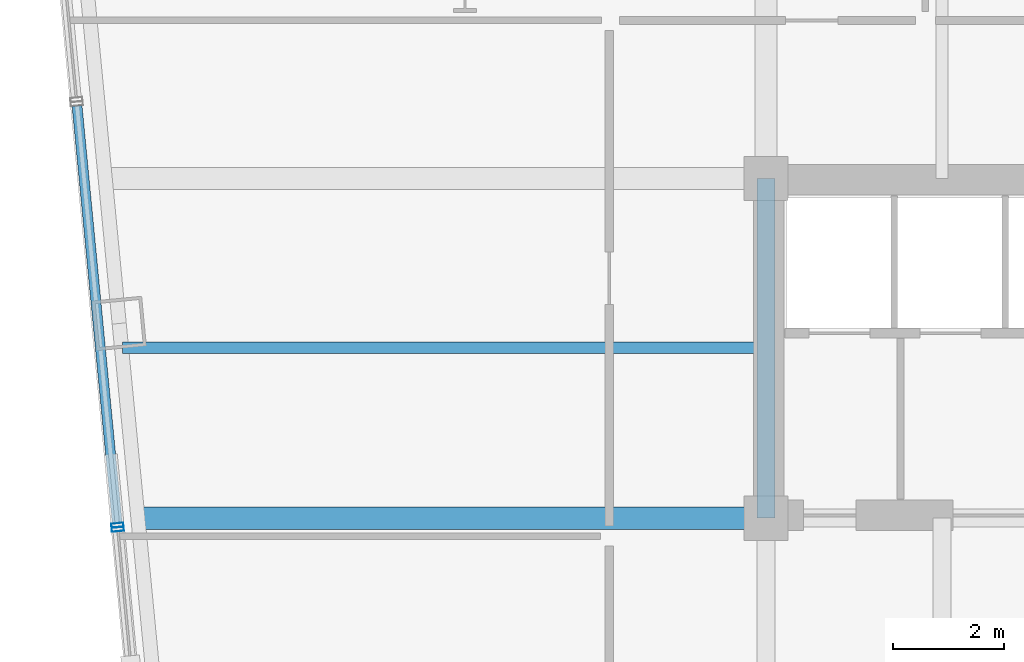
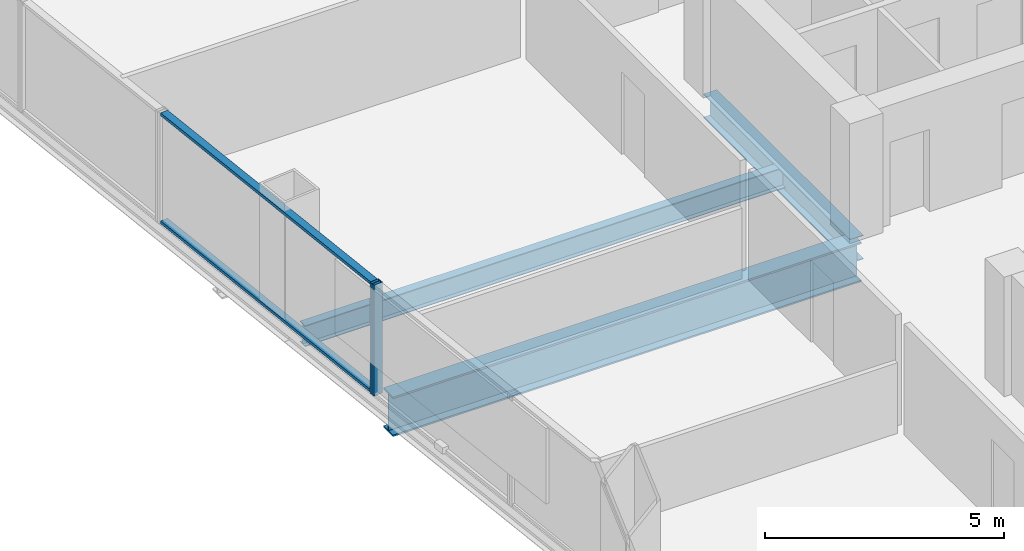
# One storey, part 9 of 32: 4 members, 3 beams, 2 elements without a shape of their own.
"""IFC4 building model written with IfcOpenShell, lengths in metres."""

import ifcopenshell
import ifcopenshell.guid

model = None  # the IFC model being written
_history = None  # IfcOwnerHistory: only IFC2X3 demands one
_inside = {}  # id of a spatial element -> (the spatial element, [elements in it])
_under = {}  # id of a project, library or spatial element -> (it, [spatial elements below it])
_declared = {}  # id of a project -> (the project, [libraries it declares])
_typed = {}  # id of a type object -> (the type object, [elements of that type])
_made_of = {}  # id of a material, layer set ... -> (it, [elements and type objects made of it])


def new_model(schema):
    """Start an empty IFC model of exactly this schema.

    Asked for "IFC4X3", IfcOpenShell would pick the latest addendum, in which some entities
    have other attributes; the version numbers below select the first issue.
    IFC2X3 requires an IfcOwnerHistory on every rooted entity: one is made here for all.
    """
    global model, _history
    if schema == "IFC4X3":
        model = ifcopenshell.file(schema_version=(4, 3, 0, 0))
    else:
        model = ifcopenshell.file(schema=schema)
    _inside.clear()
    _under.clear()
    _declared.clear()
    _typed.clear()
    _made_of.clear()
    _history = None
    if model.schema == "IFC2X3":
        org = make("IfcOrganization", Name="unknown")
        user = make(
            "IfcPersonAndOrganization",
            ThePerson=make("IfcPerson", FamilyName="unknown"),
            TheOrganization=org,
        )
        app = make(
            "IfcApplication",
            ApplicationDeveloper=org,
            Version="unknown",
            ApplicationFullName="unknown",
            ApplicationIdentifier="unknown",
        )
        _history = make(
            "IfcOwnerHistory",
            OwningUser=user,
            OwningApplication=app,
            ChangeAction="ADDED",
            CreationDate=0,
        )
    return model


def make(cls, **values):
    """One entity of the class cls with the attributes given. An attribute that is None is left unset."""
    return model.create_entity(
        cls, **{name: value for name, value in values.items() if value is not None}
    )


def rooted(cls, **values):
    """An entity with a GlobalId (a new one), such as an element, a storey or a relation."""
    return make(cls, GlobalId=ifcopenshell.guid.new(), OwnerHistory=_history, **values)


def si_unit(unit_type, name, prefix=None):
    """IfcSIUnit, for example si_unit("LENGTHUNIT", "METRE", prefix="MILLI")."""
    return make("IfcSIUnit", UnitType=unit_type, Prefix=prefix, Name=name)


def assignment(units):
    """IfcUnitAssignment: the units of a project."""
    return None if units is None else make("IfcUnitAssignment", Units=units)


def point(xyz):
    """IfcCartesianPoint."""
    return None if xyz is None else make("IfcCartesianPoint", Coordinates=xyz)


def direction(xyz):
    """IfcDirection."""
    return None if xyz is None else make("IfcDirection", DirectionRatios=xyz)


def frame(location, z_axis=None, x_axis=None):
    """IfcAxis2Placement3D, a coordinate frame: its origin and axes. An axis left out is left unset."""
    return make(
        "IfcAxis2Placement3D",
        Location=point(location),
        Axis=direction(z_axis),
        RefDirection=direction(x_axis),
    )


def frame_2d(location, x_axis=None):
    """IfcAxis2Placement2D, a coordinate frame in the plane: its origin and x axis."""
    return make(
        "IfcAxis2Placement2D", Location=point(location), RefDirection=direction(x_axis)
    )


def origin():
    """The frame at (0, 0, 0) with its axes left unset."""
    return frame((0.0, 0.0, 0.0))


def origin_2d():
    """The frame at (0, 0) in the plane with its x axis left unset."""
    return frame_2d((0.0, 0.0))


def place(relative_to, where):
    """IfcLocalPlacement: puts the frame where relative to a parent placement (None: the world)."""
    return make(
        "IfcLocalPlacement", PlacementRelTo=relative_to, RelativePlacement=where
    )


def context(
    kind, dimensions, precision=None, world=None, true_north=None, identifier=None
):
    """IfcGeometricRepresentationContext, for example the 3D "Model" context."""
    return make(
        "IfcGeometricRepresentationContext",
        ContextIdentifier=identifier,
        ContextType=kind,
        CoordinateSpaceDimension=dimensions,
        Precision=precision,
        WorldCoordinateSystem=world,
        TrueNorth=true_north,
    )


def subcontext(parent, identifier, kind, view, scale=None):
    """IfcGeometricRepresentationSubContext, for example "Body" below "Model"."""
    return make(
        "IfcGeometricRepresentationSubContext",
        ContextIdentifier=identifier,
        ContextType=kind,
        ParentContext=parent,
        TargetScale=scale,
        TargetView=view,
    )


def project(units=None, contexts=None):
    """IfcProject with its units and contexts."""
    return rooted(
        "IfcProject",
        Name="project",
        RepresentationContexts=contexts,
        UnitsInContext=assignment(units),
    )


def spatial(cls, under=None, at=None, **own):
    """A site, building, storey or space (cls), placed at a placement, below another one or the project."""
    s = rooted(cls, ObjectPlacement=at, **own)
    if under is not None:
        _under.setdefault(under.id(), (under, []))[1].append(s)
    return s


def profile(cls, at=None, kind="AREA", **sizes):
    """A parametric profile (cls). Its sizes go by their IFC names, for example OverallWidth=200.0."""
    return make(cls, ProfileType=kind, Position=at, **sizes)


def hollow_rectangle(**sizes):
    """IfcRectangleHollowProfileDef."""
    return profile("IfcRectangleHollowProfileDef", **sizes)


def i_section(**sizes):
    """IfcIShapeProfileDef."""
    return profile("IfcIShapeProfileDef", **sizes)


def extrude(swept, where, along, depth):
    """IfcExtrudedAreaSolid: the profile swept, set in the frame where, extruded along a direction by depth."""
    return make(
        "IfcExtrudedAreaSolid",
        SweptArea=swept,
        Position=where,
        ExtrudedDirection=direction(along),
        Depth=depth,
    )


def shape(context_of_items, identifier, shape_type, items):
    """IfcShapeRepresentation: the items that make up one representation, for example the "Body"."""
    return make(
        "IfcShapeRepresentation",
        ContextOfItems=context_of_items,
        RepresentationIdentifier=identifier,
        RepresentationType=shape_type,
        Items=items,
    )


def material(Name=None, Category=None):
    """IfcMaterial."""
    return make("IfcMaterial", Name=Name, Category=Category)


def layer(
    of_material, thickness, ventilated=None, Name=None, Category=None, Priority=None
):
    """IfcMaterialLayer: one layer of a wall or slab, of a material (None: an air gap)."""
    return make(
        "IfcMaterialLayer",
        Material=of_material,
        LayerThickness=thickness,
        IsVentilated=ventilated,
        Name=Name,
        Category=Category,
        Priority=Priority,
    )


def layer_set(layers, Name=None):
    """IfcMaterialLayerSet."""
    return make("IfcMaterialLayerSet", MaterialLayers=layers, LayerSetName=Name)


def material_profile(
    of_material, cross_section, Name=None, Category=None, Priority=None
):
    """IfcMaterialProfile: a cross section and its material."""
    return make(
        "IfcMaterialProfile",
        Name=Name,
        Material=of_material,
        Profile=cross_section,
        Priority=Priority,
        Category=Category,
    )


def profile_set(profiles, Name=None, composite=None):
    """IfcMaterialProfileSet."""
    return make(
        "IfcMaterialProfileSet",
        Name=Name,
        MaterialProfiles=profiles,
        CompositeProfile=composite,
    )


def made_of(thing, what):
    """Note that an element or type object is made of a material, layer set ...; save() writes the relation."""
    if what is not None:
        _made_of.setdefault(what.id(), (what, []))[1].append(thing)
    return thing


def type_object(cls, material=None, **own):
    """A type object (cls), such as IfcWallType, which elements share."""
    return made_of(rooted(cls, **own), material)


def element(
    cls,
    number,
    at=None,
    inside=None,
    cuts=None,
    type_object=None,
    material=None,
    context=None,
    identifier="Body",
    shape_type=None,
    held_by="IfcProductDefinitionShape",
    body=None,
    shapes=None,
    **own,
):
    """One element of the class cls, such as IfcWall. Its Tag is "e" and its number.

    at: its placement. inside: the storey or other place that contains it. cuts: it is an
    opening in that element (IfcRelVoidsElement). A single representation is given by context,
    identifier, shape_type and body (its items); several are given by shapes. held_by: the class
    of the entity that holds the representations. save() writes the other relations.
    """
    e = rooted(cls, Tag="e%d" % number, ObjectPlacement=at, **own)
    if body is not None:
        shapes = [shape(context, identifier, shape_type, body)]
    if shapes is not None:
        e.Representation = make(held_by, Representations=shapes)
    if inside is not None:
        _inside.setdefault(inside.id(), (inside, []))[1].append(e)
    if cuts is not None:
        rooted(
            "IfcRelVoidsElement", RelatingBuildingElement=cuts, RelatedOpeningElement=e
        )
    if type_object is not None:
        _typed.setdefault(type_object.id(), (type_object, []))[1].append(e)
    return made_of(e, material)


def aggregate(whole, parts):
    """IfcRelAggregates: a whole, such as a stair, and the parts it consists of."""
    return rooted("IfcRelAggregates", RelatingObject=whole, RelatedObjects=parts)


def save(model, path):
    """Write the relations noted so far, then the file.

    IfcRelAggregates (storeys below a building ...), IfcRelContainedInSpatialStructure (elements
    in a storey), IfcRelDefinesByType, IfcRelAssociatesMaterial and IfcRelDeclares: one each for
    every whole, place, type object, material and project.
    """
    for whole, parts in _under.values():
        aggregate(whole, parts)
    for where, things in _inside.values():
        rooted(
            "IfcRelContainedInSpatialStructure",
            RelatedElements=things,
            RelatingStructure=where,
        )
    for kind, things in _typed.values():
        rooted("IfcRelDefinesByType", RelatedObjects=things, RelatingType=kind)
    for what, things in _made_of.values():
        rooted("IfcRelAssociatesMaterial", RelatedObjects=things, RelatingMaterial=what)
    for by, libraries in _declared.values():
        rooted("IfcRelDeclares", RelatingContext=by, RelatedDefinitions=libraries)
    model.write(path)


model = new_model("IFC4")

# Units and contexts
model_context = context("Model", 3, precision=1e-05, world=origin(), true_north=direction((0.0, 1.0)))
body_context = subcontext(model_context, "Body", "Model", "MODEL_VIEW")
ifc_project = project(units=[si_unit("LENGTHUNIT", "METRE"), si_unit("AREAUNIT", "SQUARE_METRE"), si_unit("VOLUMEUNIT", "CUBIC_METRE"), si_unit("PLANEANGLEUNIT", "RADIAN"), si_unit("MASSUNIT", "GRAM", prefix="KILO")], contexts=[model_context])

# Site, building, storey
site_placement = place(None, origin())
site = spatial("IfcSite", under=ifc_project, at=site_placement, CompositionType="ELEMENT")
building_placement = place(site_placement, origin())
building = spatial("IfcBuilding", under=site, at=building_placement, Name="Qhalaya Broadcast Tower", CompositionType="ELEMENT")
storey_placement = place(building_placement, frame((0.0, 0.0, 87.75)))
storey = spatial("IfcBuildingStorey", under=building, at=storey_placement, Name="L25", CompositionType="ELEMENT", Elevation=87.75)

# Beams
ifc_material_1 = material(Name="Structural Steel ASTM A992 Grade 50", Category="steel")
ifc_material_profile_1 = material_profile(ifc_material_1, i_section(OverallWidth=0.2099609375, OverallDepth=0.535888671875, WebThickness=0.010986328125, FlangeThickness=0.017333984375, at=origin_2d()), Name="W21X68")
ifc_profile_set_1 = profile_set([ifc_material_profile_1], Name="Structural Steel ASTM A992 Grade 50")
beam_type_1 = type_object("IfcBeamType", Name="Composite Floor Joist J02", PredefinedType="JOIST", material=ifc_profile_set_1)
beam_1_placement = place(storey_placement, frame((-20.974853515625, 6.89990234375, -0.488037109375), z_axis=(1.0, 0.0, 0.0), x_axis=(0.0, 1.0, 0.0)))
element("IfcBeam", 1, at=beam_1_placement, inside=storey, type_object=beam_type_1, Name="L25 J02 L25-JWE5W-1", PredefinedType="JOIST", context=body_context, shape_type="SweptSolid", body=[
    extrude(i_section(OverallWidth=0.2099609375, OverallDepth=0.535888671875, WebThickness=0.010986328125, FlangeThickness=0.017333984375, at=origin_2d()), origin(), (0.0, 0.0, 1.0), 11.599853515625),
])
ifc_material_profile_2 = material_profile(ifc_material_1, i_section(OverallWidth=0.323974609375, OverallDepth=0.612060546875, WebThickness=0.0126953125, FlangeThickness=0.01904296875, at=origin_2d()), Name="W24X104")
ifc_profile_set_2 = profile_set([ifc_material_profile_2], Name="Structural Steel ASTM A992 Grade 50")
beam_type_2 = type_object("IfcBeamType", Name="Core Frame Tie Beam B04", PredefinedType="BEAM", material=ifc_profile_set_2)
beam_2_placement = place(storey_placement, frame((-9.375, 3.824951171875, -0.52587890625), z_axis=(0.0, 1.0, 0.0), x_axis=(-1.0, 0.0, 0.0)))
element("IfcBeam", 2, at=beam_2_placement, inside=storey, type_object=beam_type_2, Name="L25 B04 L25-CCN2", PredefinedType="BEAM", context=body_context, shape_type="SweptSolid", body=[
    extrude(i_section(OverallWidth=0.323974609375, OverallDepth=0.612060546875, WebThickness=0.0126953125, FlangeThickness=0.01904296875, at=origin_2d()), origin(), (0.0, 0.0, 1.0), 6.125),
])
ifc_material_profile_3 = material_profile(ifc_material_1, i_section(OverallWidth=0.40087890625, OverallDepth=1.010986328125, WebThickness=0.023681640625, FlangeThickness=0.0419921875, at=origin_2d()), Name="W40X297")
ifc_profile_set_3 = profile_set([ifc_material_profile_3], Name="Structural Steel ASTM A992 Grade 50")
beam_type_3 = type_object("IfcBeamType", Name="Lower Block Primary Girder PG2", PredefinedType="USERDEFINED", material=ifc_profile_set_3)
beam_3_placement = place(storey_placement, frame((-20.6787109375, 3.824951171875, -0.7255859375), z_axis=(1.0, 0.0, 0.0), x_axis=(0.0, 1.0, 0.0)))
element("IfcBeam", 3, at=beam_3_placement, inside=storey, type_object=beam_type_3, Name="L25 PG2 L25-PGYW3-1", ObjectType="GIRDER", PredefinedType="USERDEFINED", context=body_context, shape_type="SweptSolid", body=[
    extrude(i_section(OverallWidth=0.40087890625, OverallDepth=1.010986328125, WebThickness=0.023681640625, FlangeThickness=0.0419921875, at=origin_2d()), origin(), (0.0, 0.0, 1.0), 11.3037109375),
])

# Curtain wall, member
ifc_material_2 = material(Name="Fired Architectural Terracotta", Category="masonry")
ifc_layer_1 = layer(ifc_material_2, 0.219970703125, Name="Fired Architectural Terracotta")
ifc_layer_set_1 = layer_set([ifc_layer_1], Name="Fired Architectural Terracotta")
curtain_wall_type_1 = type_object("IfcCurtainWallType", Name="Block-Cap Unitised Terracotta Spandrel Wall CW-07", PredefinedType="NOTDEFINED", material=ifc_layer_set_1)
curtain_wall_1_placement = place(storey_placement, origin())
curtain_wall_1 = element("IfcCurtainWall", 4, at=curtain_wall_1_placement, inside=storey, type_object=curtain_wall_type_1, Name="L25 Unitised Curtain Wall L25-CW-W3", PredefinedType="NOTDEFINED")
ifc_material_3 = material(Name="Anodised Aluminium 6063-T6", Category="aluminium")
ifc_material_profile_4 = material_profile(ifc_material_3, hollow_rectangle(XDim=0.074951171875, YDim=0.219970703125, WallThickness=0.00390625, at=origin_2d()), Name="ALU-MUL 75x220x4")
ifc_profile_set_4 = profile_set([ifc_material_profile_4], Name="Anodised Aluminium 6063-T6")
member_type_1 = type_object("IfcMemberType", Name="Unitised Curtain-Wall Mullion M01", PredefinedType="MULLION", material=ifc_profile_set_4)
member_1_placement = place(storey_placement, frame((-21.068603515625, 3.69873046875, 0.0), z_axis=(0.0, 0.0, 1.0), x_axis=(0.095849092763, -0.995395876733, 0.0)))
member_1 = element("IfcMember", 5, at=member_1_placement, type_object=member_type_1, Name="CW-07 mullion 2", PredefinedType="MULLION", context=body_context, shape_type="SweptSolid", body=[
    extrude(hollow_rectangle(XDim=0.074951171875, YDim=0.219970703125, WallThickness=0.00390625, at=origin_2d()), origin(), (0.0, 0.0, 1.0), 2.830078125),
])

ifc_material_4 = material(Name="Solar-Control Low-E Triple Glazing", Category="glass")
ifc_layer_2 = layer(ifc_material_4, 0.219970703125, Name="Solar-Control Low-E Triple Glazing")
ifc_layer_set_2 = layer_set([ifc_layer_2], Name="Solar-Control Low-E Triple Glazing")
curtain_wall_type_2 = type_object("IfcCurtainWallType", Name="Even-Block 4-Storey Double-Module Curtain Wall CW-03", PredefinedType="NOTDEFINED", material=ifc_layer_set_2)
curtain_wall_2_placement = place(storey_placement, origin())
curtain_wall_2 = element("IfcCurtainWall", 6, at=curtain_wall_2_placement, inside=storey, type_object=curtain_wall_type_2, Name="L25 Unitised Curtain Wall L25-CW-W4", PredefinedType="NOTDEFINED")
member_2_placement = place(storey_placement, frame((-21.061279296875, 3.6240234375, 0.0), z_axis=(0.0, 0.0, 1.0), x_axis=(0.095844611292, -0.995396308254, 0.0)))
member_2 = element("IfcMember", 7, at=member_2_placement, type_object=member_type_1, Name="CW-03 mullion 1", PredefinedType="MULLION", context=body_context, shape_type="SweptSolid", body=[
    extrude(hollow_rectangle(XDim=0.074951171875, YDim=0.219970703125, WallThickness=0.00390625, at=origin_2d()), origin(), (0.0, 0.0, 1.0), 2.830078125),
])
aggregate(curtain_wall_2, [member_2])

# Member
ifc_material_profile_5 = material_profile(ifc_material_3, hollow_rectangle(XDim=0.074951171875, YDim=0.179931640625, WallThickness=0.00390625, at=origin_2d()), Name="ALU-TRN 75x180x4")
ifc_profile_set_5 = profile_set([ifc_material_profile_5], Name="Anodised Aluminium 6063-T6")
member_type_2 = type_object("IfcMemberType", Name="Unitised Curtain-Wall Transom T01", PredefinedType="USERDEFINED", material=ifc_profile_set_5)
member_3_placement = place(storey_placement, frame((-21.796630859375, 11.26025390625, 0.03759765625), z_axis=(0.095857641751, -0.995395053493, 0.0), x_axis=(0.0, 0.0, 1.0)))
member_3 = element("IfcMember", 8, at=member_3_placement, type_object=member_type_2, Name="CW-07 transom 1.1", ObjectType="TRANSOM", PredefinedType="USERDEFINED", context=body_context, shape_type="SweptSolid", body=[
    extrude(hollow_rectangle(XDim=0.074951171875, YDim=0.179931640625, WallThickness=0.00390625, at=origin_2d()), origin(), (0.0, 0.0, 1.0), 7.559326171875),
])

member_4_placement = place(storey_placement, frame((-21.796630859375, 11.26025390625, 2.79248046875), z_axis=(0.095857641751, -0.995395053493, 0.0), x_axis=(0.0, 0.0, 1.0)))
member_4 = element("IfcMember", 9, at=member_4_placement, type_object=member_type_2, Name="CW-07 transom 1.2", ObjectType="TRANSOM", PredefinedType="USERDEFINED", context=body_context, shape_type="SweptSolid", body=[
    extrude(hollow_rectangle(XDim=0.074951171875, YDim=0.179931640625, WallThickness=0.00390625, at=origin_2d()), origin(), (0.0, 0.0, 1.0), 7.559326171875),
])

aggregate(curtain_wall_1, [member_1, member_3, member_4])

save(model, "model.ifc")
